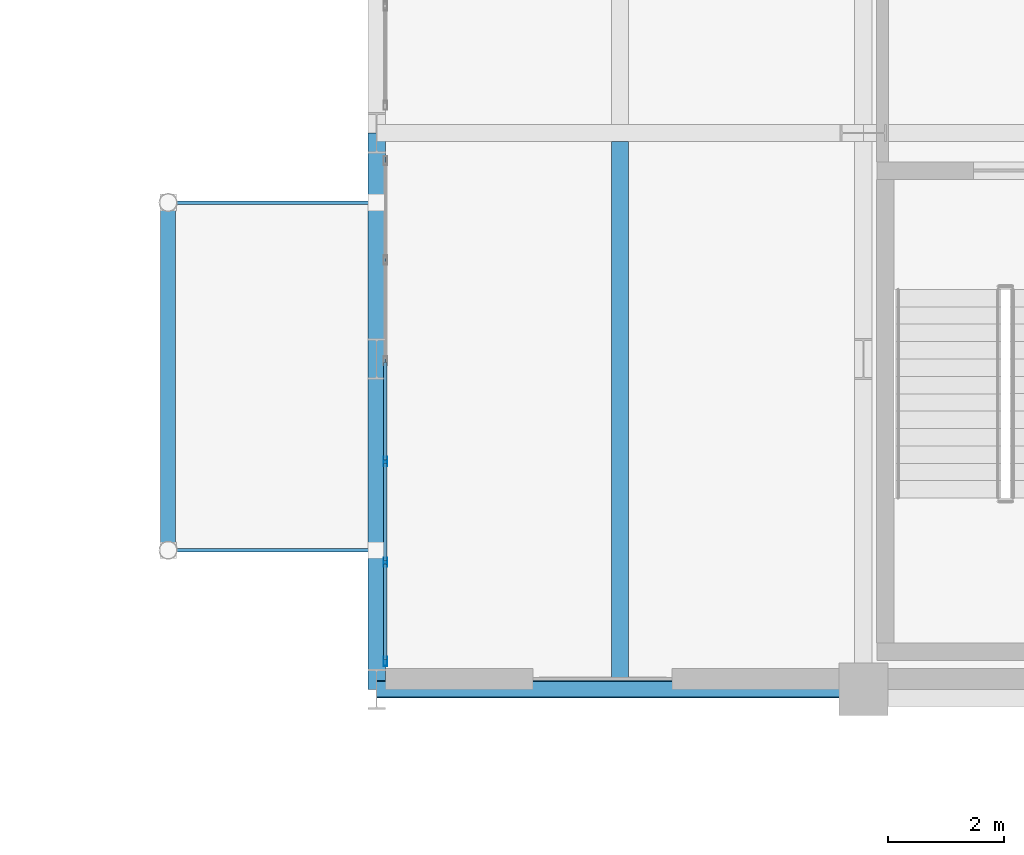
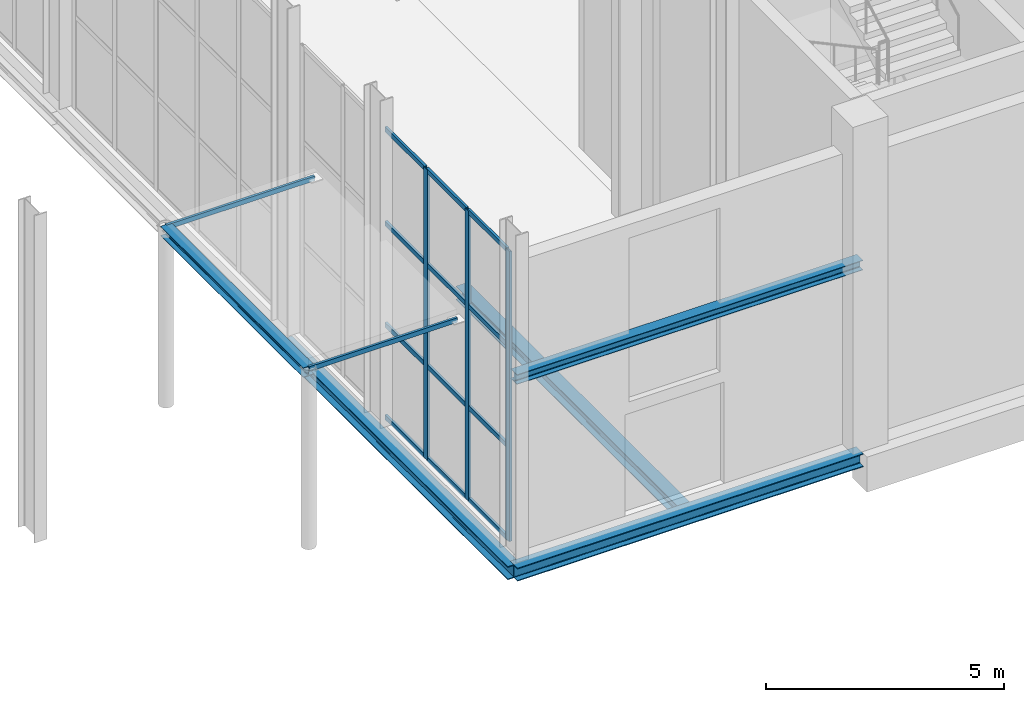
# One storey, part 15 of 131: 17 members, 5 beams, 1 element without a shape of its own.
"""IFC4 building model written with IfcOpenShell, lengths in metres."""

from ifc_helpers import new_model, si_unit, direction, frame, origin, origin_2d, place, context, subcontext, project, spatial, hollow_rectangle, i_section, extrude, material, material_profile, profile_set, type_object, element, aggregate, save


model = new_model("IFC4")

# Units and contexts
model_context = context("Model", 3, precision=1e-05, world=origin(), true_north=direction((0.0, 1.0)))
body_context = subcontext(model_context, "Body", "Model", "MODEL_VIEW")
ifc_project = project(units=[si_unit("LENGTHUNIT", "METRE"), si_unit("AREAUNIT", "SQUARE_METRE"), si_unit("VOLUMEUNIT", "CUBIC_METRE"), si_unit("PLANEANGLEUNIT", "RADIAN"), si_unit("MASSUNIT", "GRAM", prefix="KILO")], contexts=[model_context])

# Site, building, storey
site_placement = place(None, origin())
site = spatial("IfcSite", under=ifc_project, at=site_placement, CompositionType="ELEMENT")
building_placement = place(site_placement, origin())
building = spatial("IfcBuilding", under=site, at=building_placement, Name="Veltarok Museum of Natural Sciences", CompositionType="ELEMENT")
storey_placement = place(building_placement, origin())
storey = spatial("IfcBuildingStorey", under=building, at=storey_placement, Name="L00", CompositionType="ELEMENT", Elevation=0.0)

# Members
ifc_material_1 = material(Name="Steel S355J2", Category="steel")
ifc_material_profile_1 = material_profile(ifc_material_1, hollow_rectangle(XDim=0.06005859375, YDim=0.1201171875, WallThickness=0.0048828125, at=origin_2d()), Name="RHS 120x60x5")
ifc_profile_set_1 = profile_set([ifc_material_profile_1], Name="Steel S355J2")
member_type_1 = type_object("IfcMemberType", Name="Canopy Glazing Purlin RHS 120x60x5", PredefinedType="PURLIN", material=ifc_profile_set_1)
for number, where, z_axis, x_axis, name in (
    (1, (19.60009765625, 2.39990234375, 4.5400390625), (1.0, 0.0, 0.0), (0.0, 1.0, 0.0), "Canopy Purlin CAN-W-1"),
    (2, (19.60009765625, 8.39990234375, 4.5400390625), (1.0, 0.0, 0.0), (0.0, 1.0, 0.0), "Canopy Purlin CAN-W-2"),
):
    element("IfcMember", number, at=place(storey_placement, frame(where, z_axis=z_axis, x_axis=x_axis)), inside=storey, type_object=member_type_1, Name=name, PredefinedType="PURLIN", context=body_context, shape_type="SweptSolid", body=[
        extrude(hollow_rectangle(XDim=0.06005859375, YDim=0.1201171875, WallThickness=0.0048828125, at=origin_2d()), origin(), (0.0, 0.0, 1.0), 3.599853515625),
    ])

# Curtain wall, members
ifc_material_2 = material(Name="Low-iron triple insulated glass", Category="glass")
curtain_wall_type = type_object("IfcCurtainWallType", Name="Curtain Wall System CW-PAS-W-AB-870x745 (West Forecourt Passage A-B 870x745cm)", PredefinedType="NOTDEFINED", material=ifc_material_2)
curtain_wall_placement = place(storey_placement, origin())
curtain_wall = element("IfcCurtainWall", 3, at=curtain_wall_placement, inside=storey, type_object=curtain_wall_type, Name="Curtain Wall CW-PAS-W-AB-870x745 CW-0021", PredefinedType="NOTDEFINED")
ifc_material_3 = material(Name="Thermally broken anodised aluminium", Category="aluminium")
ifc_material_profile_2 = material_profile(ifc_material_3, hollow_rectangle(XDim=0.06005859375, YDim=0.1201171875, WallThickness=0.0048828125, at=origin_2d()), Name="CW TRANSOM 60x120x5")
ifc_profile_set_2 = profile_set([ifc_material_profile_2], Name="Thermally broken anodised aluminium")
member_type_2 = type_object("IfcMemberType", Name="Curtain Wall Horizontal Transom 60x120x5", PredefinedType="USERDEFINED", material=ifc_profile_set_2)
member_1_placement = place(storey_placement, frame((23.35009765625, 0.510009765625, 0.030029296875), z_axis=(0.0, 1.0, 0.0), x_axis=(-1.0, 0.0, 0.0)))
member_1 = element("IfcMember", 4, at=member_1_placement, type_object=member_type_2, Name="CW-PAS-W-AB-870x745 transom 1.1", ObjectType="TRANSOM", PredefinedType="USERDEFINED", context=body_context, shape_type="SweptSolid", body=[
    extrude(hollow_rectangle(XDim=0.06005859375, YDim=0.1201171875, WallThickness=0.0048828125, at=origin_2d()), origin(), (0.0, 0.0, 1.0), 1.64990234375),
])
member_2_placement = place(storey_placement, frame((23.35009765625, 0.510009765625, 2.39990234375), z_axis=(0.0, 1.0, 0.0), x_axis=(-1.0, 0.0, 0.0)))
member_2 = element("IfcMember", 5, at=member_2_placement, type_object=member_type_2, Name="CW-PAS-W-AB-870x745 transom 1.2", ObjectType="TRANSOM", PredefinedType="USERDEFINED", context=body_context, shape_type="SweptSolid", body=[
    extrude(hollow_rectangle(XDim=0.06005859375, YDim=0.1201171875, WallThickness=0.0048828125, at=origin_2d()), origin(), (0.0, 0.0, 1.0), 1.64990234375),
])
member_3_placement = place(storey_placement, frame((23.35009765625, 0.510009765625, 5.0), z_axis=(0.0, 1.0, 0.0), x_axis=(-1.0, 0.0, 0.0)))
member_3 = element("IfcMember", 6, at=member_3_placement, type_object=member_type_2, Name="CW-PAS-W-AB-870x745 transom 1.3", ObjectType="TRANSOM", PredefinedType="USERDEFINED", context=body_context, shape_type="SweptSolid", body=[
    extrude(hollow_rectangle(XDim=0.06005859375, YDim=0.1201171875, WallThickness=0.0048828125, at=origin_2d()), origin(), (0.0, 0.0, 1.0), 1.64990234375),
])
member_4_placement = place(storey_placement, frame((23.35009765625, 0.510009765625, 7.419921875), z_axis=(0.0, 1.0, 0.0), x_axis=(-1.0, 0.0, 0.0)))
member_4 = element("IfcMember", 7, at=member_4_placement, type_object=member_type_2, Name="CW-PAS-W-AB-870x745 transom 1.4", ObjectType="TRANSOM", PredefinedType="USERDEFINED", context=body_context, shape_type="SweptSolid", body=[
    extrude(hollow_rectangle(XDim=0.06005859375, YDim=0.1201171875, WallThickness=0.0048828125, at=origin_2d()), origin(), (0.0, 0.0, 1.0), 1.64990234375),
])
member_5_placement = place(storey_placement, frame((23.35009765625, 2.219970703125, 0.030029296875), z_axis=(0.0, 1.0, 0.0), x_axis=(-1.0, 0.0, 0.0)))
member_5 = element("IfcMember", 8, at=member_5_placement, type_object=member_type_2, Name="CW-PAS-W-AB-870x745 transom 2.1", ObjectType="TRANSOM", PredefinedType="USERDEFINED", context=body_context, shape_type="SweptSolid", body=[
    extrude(hollow_rectangle(XDim=0.06005859375, YDim=0.1201171875, WallThickness=0.0048828125, at=origin_2d()), origin(), (0.0, 0.0, 1.0), 1.679931640625),
])
member_6_placement = place(storey_placement, frame((23.35009765625, 2.219970703125, 2.39990234375), z_axis=(0.0, 1.0, 0.0), x_axis=(-1.0, 0.0, 0.0)))
member_6 = element("IfcMember", 9, at=member_6_placement, type_object=member_type_2, Name="CW-PAS-W-AB-870x745 transom 2.2", ObjectType="TRANSOM", PredefinedType="USERDEFINED", context=body_context, shape_type="SweptSolid", body=[
    extrude(hollow_rectangle(XDim=0.06005859375, YDim=0.1201171875, WallThickness=0.0048828125, at=origin_2d()), origin(), (0.0, 0.0, 1.0), 1.679931640625),
])
member_7_placement = place(storey_placement, frame((23.35009765625, 2.219970703125, 5.0), z_axis=(0.0, 1.0, 0.0), x_axis=(-1.0, 0.0, 0.0)))
member_7 = element("IfcMember", 10, at=member_7_placement, type_object=member_type_2, Name="CW-PAS-W-AB-870x745 transom 2.3", ObjectType="TRANSOM", PredefinedType="USERDEFINED", context=body_context, shape_type="SweptSolid", body=[
    extrude(hollow_rectangle(XDim=0.06005859375, YDim=0.1201171875, WallThickness=0.0048828125, at=origin_2d()), origin(), (0.0, 0.0, 1.0), 1.679931640625),
])
member_8_placement = place(storey_placement, frame((23.35009765625, 2.219970703125, 7.419921875), z_axis=(0.0, 1.0, 0.0), x_axis=(-1.0, 0.0, 0.0)))
member_8 = element("IfcMember", 11, at=member_8_placement, type_object=member_type_2, Name="CW-PAS-W-AB-870x745 transom 2.4", ObjectType="TRANSOM", PredefinedType="USERDEFINED", context=body_context, shape_type="SweptSolid", body=[
    extrude(hollow_rectangle(XDim=0.06005859375, YDim=0.1201171875, WallThickness=0.0048828125, at=origin_2d()), origin(), (0.0, 0.0, 1.0), 1.679931640625),
])
member_9_placement = place(storey_placement, frame((23.35009765625, 3.9599609375, 0.030029296875), z_axis=(0.0, 1.0, 0.0), x_axis=(-1.0, 0.0, 0.0)))
member_9 = element("IfcMember", 12, at=member_9_placement, type_object=member_type_2, Name="CW-PAS-W-AB-870x745 transom 3.1", ObjectType="TRANSOM", PredefinedType="USERDEFINED", context=body_context, shape_type="SweptSolid", body=[
    extrude(hollow_rectangle(XDim=0.06005859375, YDim=0.1201171875, WallThickness=0.0048828125, at=origin_2d()), origin(), (0.0, 0.0, 1.0), 1.679931640625),
])
member_10_placement = place(storey_placement, frame((23.35009765625, 3.9599609375, 2.39990234375), z_axis=(0.0, 1.0, 0.0), x_axis=(-1.0, 0.0, 0.0)))
member_10 = element("IfcMember", 13, at=member_10_placement, type_object=member_type_2, Name="CW-PAS-W-AB-870x745 transom 3.2", ObjectType="TRANSOM", PredefinedType="USERDEFINED", context=body_context, shape_type="SweptSolid", body=[
    extrude(hollow_rectangle(XDim=0.06005859375, YDim=0.1201171875, WallThickness=0.0048828125, at=origin_2d()), origin(), (0.0, 0.0, 1.0), 1.679931640625),
])
member_11_placement = place(storey_placement, frame((23.35009765625, 3.9599609375, 5.0), z_axis=(0.0, 1.0, 0.0), x_axis=(-1.0, 0.0, 0.0)))
member_11 = element("IfcMember", 14, at=member_11_placement, type_object=member_type_2, Name="CW-PAS-W-AB-870x745 transom 3.3", ObjectType="TRANSOM", PredefinedType="USERDEFINED", context=body_context, shape_type="SweptSolid", body=[
    extrude(hollow_rectangle(XDim=0.06005859375, YDim=0.1201171875, WallThickness=0.0048828125, at=origin_2d()), origin(), (0.0, 0.0, 1.0), 1.679931640625),
])
member_12_placement = place(storey_placement, frame((23.35009765625, 3.9599609375, 7.419921875), z_axis=(0.0, 1.0, 0.0), x_axis=(-1.0, 0.0, 0.0)))
member_12 = element("IfcMember", 15, at=member_12_placement, type_object=member_type_2, Name="CW-PAS-W-AB-870x745 transom 3.4", ObjectType="TRANSOM", PredefinedType="USERDEFINED", context=body_context, shape_type="SweptSolid", body=[
    extrude(hollow_rectangle(XDim=0.06005859375, YDim=0.1201171875, WallThickness=0.0048828125, at=origin_2d()), origin(), (0.0, 0.0, 1.0), 1.679931640625),
])
ifc_material_profile_3 = material_profile(ifc_material_3, hollow_rectangle(XDim=0.06005859375, YDim=0.159912109375, WallThickness=0.0048828125, at=origin_2d()), Name="CW MULLION 60x160x5")
ifc_profile_set_3 = profile_set([ifc_material_profile_3], Name="Thermally broken anodised aluminium")
member_type_3 = type_object("IfcMemberType", Name="Curtain Wall Vertical Mullion 60x160x5", PredefinedType="MULLION", material=ifc_profile_set_3)
member_13_placement = place(storey_placement, frame((23.35009765625, 0.47998046875, 0.0), z_axis=(0.0, 0.0, 1.0), x_axis=(-1.0, 0.0, 0.0)))
member_13 = element("IfcMember", 16, at=member_13_placement, type_object=member_type_3, Name="CW-PAS-W-AB-870x745 mullion 1", PredefinedType="MULLION", context=body_context, shape_type="SweptSolid", body=[
    extrude(hollow_rectangle(XDim=0.06005859375, YDim=0.159912109375, WallThickness=0.0048828125, at=origin_2d()), origin(), (0.0, 0.0, 1.0), 7.449951171875),
])
member_14_placement = place(storey_placement, frame((23.35009765625, 2.18994140625, 0.0), z_axis=(0.0, 0.0, 1.0), x_axis=(-1.0, 0.0, 0.0)))
member_14 = element("IfcMember", 17, at=member_14_placement, type_object=member_type_3, Name="CW-PAS-W-AB-870x745 mullion 2", PredefinedType="MULLION", context=body_context, shape_type="SweptSolid", body=[
    extrude(hollow_rectangle(XDim=0.06005859375, YDim=0.159912109375, WallThickness=0.0048828125, at=origin_2d()), origin(), (0.0, 0.0, 1.0), 7.449951171875),
])
member_15_placement = place(storey_placement, frame((23.35009765625, 3.929931640625, 0.0), z_axis=(0.0, 0.0, 1.0), x_axis=(-1.0, 0.0, 0.0)))
member_15 = element("IfcMember", 18, at=member_15_placement, type_object=member_type_3, Name="CW-PAS-W-AB-870x745 mullion 3", PredefinedType="MULLION", context=body_context, shape_type="SweptSolid", body=[
    extrude(hollow_rectangle(XDim=0.06005859375, YDim=0.159912109375, WallThickness=0.0048828125, at=origin_2d()), origin(), (0.0, 0.0, 1.0), 7.449951171875),
])
aggregate(curtain_wall, [member_13, member_14, member_15, member_1, member_2, member_3, member_4, member_5, member_6, member_7, member_8, member_9, member_10, member_11, member_12])

# Beams
ifc_material_profile_4 = material_profile(ifc_material_1, i_section(OverallWidth=0.300048828125, OverallDepth=0.35009765625, WebThickness=0.010009765625, FlangeThickness=0.017578125, FilletRadius=0.027099609375, at=origin_2d()), Name="HEA 360")
ifc_profile_set_4 = profile_set([ifc_material_profile_4], Name="Steel S355J2")
beam_type_1 = type_object("IfcBeamType", Name="Long-Span Gallery Joist HEA 360", PredefinedType="JOIST", material=ifc_profile_set_4)
beam_1_placement = place(storey_placement, frame((27.39990234375, 0.14794921875, -0.47509765625), z_axis=(0.0, 1.0, 0.0), x_axis=(-1.0, 0.0, 0.0)))
element("IfcBeam", 19, at=beam_1_placement, inside=storey, type_object=beam_type_1, Name="Secondary Joist BM-J07 L00 3-4/A-B.1", PredefinedType="JOIST", context=body_context, shape_type="SweptSolid", body=[
    extrude(i_section(OverallWidth=0.300048828125, OverallDepth=0.35009765625, WebThickness=0.010009765625, FlangeThickness=0.017578125, FilletRadius=0.027099609375, at=origin_2d()), origin(), (0.0, 0.0, 1.0), 9.303955078125),
])
ifc_material_profile_5 = material_profile(ifc_material_1, i_section(OverallWidth=0.300048828125, OverallDepth=0.340087890625, WebThickness=0.011962890625, FlangeThickness=0.021484375, FilletRadius=0.027099609375, at=origin_2d()), Name="HEB 340")
ifc_profile_set_5 = profile_set([ifc_material_profile_5], Name="Steel S355J2")
beam_type_2 = type_object("IfcBeamType", Name="Perimeter Bridge Spandrel HEB 340", PredefinedType="SPANDREL", material=ifc_profile_set_5)
beam_2_placement = place(storey_placement, frame((23.199951171875, 0.0, -0.469970703125), z_axis=(1.0, 0.0, 0.0), x_axis=(0.0, 1.0, 0.0)))
element("IfcBeam", 20, at=beam_2_placement, inside=storey, type_object=beam_type_2, Name="Beam BM-SP07 L00 3-4/A", PredefinedType="SPANDREL", context=body_context, shape_type="SweptSolid", body=[
    extrude(i_section(OverallWidth=0.300048828125, OverallDepth=0.340087890625, WebThickness=0.011962890625, FlangeThickness=0.021484375, FilletRadius=0.027099609375, at=origin_2d()), origin(), (0.0, 0.0, 1.0), 8.400146484375),
])
beam_3_placement = place(storey_placement, frame((23.199951171875, 0.0, -0.469970703125), z_axis=(0.0, 1.0, 0.0), x_axis=(-1.0, 0.0, 0.0)))
element("IfcBeam", 21, at=beam_3_placement, inside=storey, type_object=beam_type_2, Name="Beam BM-SP07 L00 3/A-B", PredefinedType="SPANDREL", context=body_context, shape_type="SweptSolid", body=[
    extrude(i_section(OverallWidth=0.300048828125, OverallDepth=0.340087890625, WebThickness=0.011962890625, FlangeThickness=0.021484375, FilletRadius=0.027099609375, at=origin_2d()), origin(), (0.0, 0.0, 1.0), 9.60009765625),
])
ifc_material_profile_6 = material_profile(ifc_material_1, i_section(OverallWidth=0.260009765625, OverallDepth=0.25, WebThickness=0.007568359375, FlangeThickness=0.012451171875, FilletRadius=0.02392578125, at=origin_2d()), Name="HEA 260")
ifc_profile_set_6 = profile_set([ifc_material_profile_6], Name="Steel S355J2")
beam_type_3 = type_object("IfcBeamType", Name="Portal and Dock Lintel Beam HEA 260", PredefinedType="LINTEL", material=ifc_profile_set_6)
beam_4_placement = place(storey_placement, frame((19.60009765625, 2.39990234375, 4.47509765625), z_axis=(0.0, 1.0, 0.0), x_axis=(-1.0, 0.0, 0.0)))
element("IfcBeam", 22, at=beam_4_placement, inside=storey, type_object=beam_type_3, Name="Canopy Edge Beam CAN-W", PredefinedType="LINTEL", context=body_context, shape_type="SweptSolid", body=[
    extrude(i_section(OverallWidth=0.260009765625, OverallDepth=0.25, WebThickness=0.007568359375, FlangeThickness=0.012451171875, FilletRadius=0.02392578125, at=origin_2d()), origin(), (0.0, 0.0, 1.0), 6.0),
])
beam_5_placement = place(storey_placement, frame((23.199951171875, 0.0, 4.52490234375), z_axis=(1.0, 0.0, 0.0), x_axis=(0.0, 1.0, 0.0)))
element("IfcBeam", 23, at=beam_5_placement, inside=storey, type_object=beam_type_3, Name="Portal Lintel Beam LN-PAS-S", PredefinedType="LINTEL", context=body_context, shape_type="SweptSolid", body=[
    extrude(i_section(OverallWidth=0.260009765625, OverallDepth=0.25, WebThickness=0.007568359375, FlangeThickness=0.012451171875, FilletRadius=0.02392578125, at=origin_2d()), origin(), (0.0, 0.0, 1.0), 8.400146484375),
])

save(model, "model.ifc")
